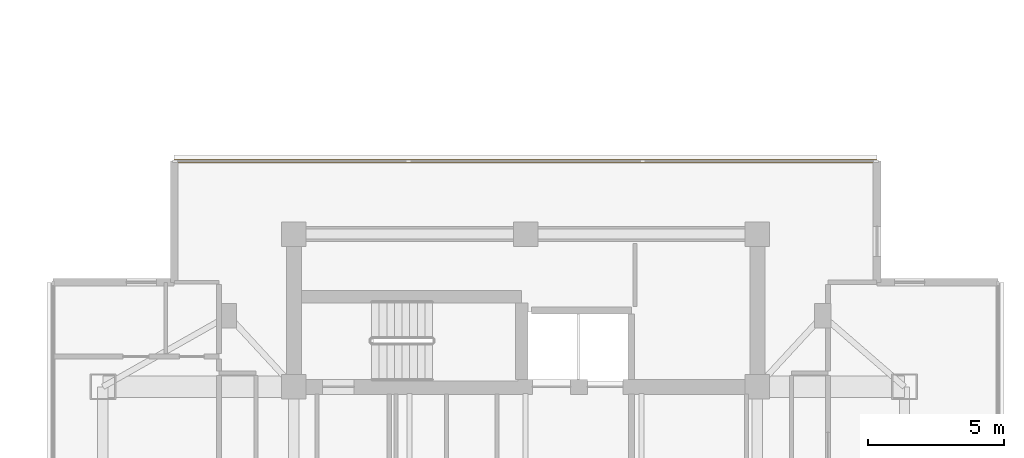
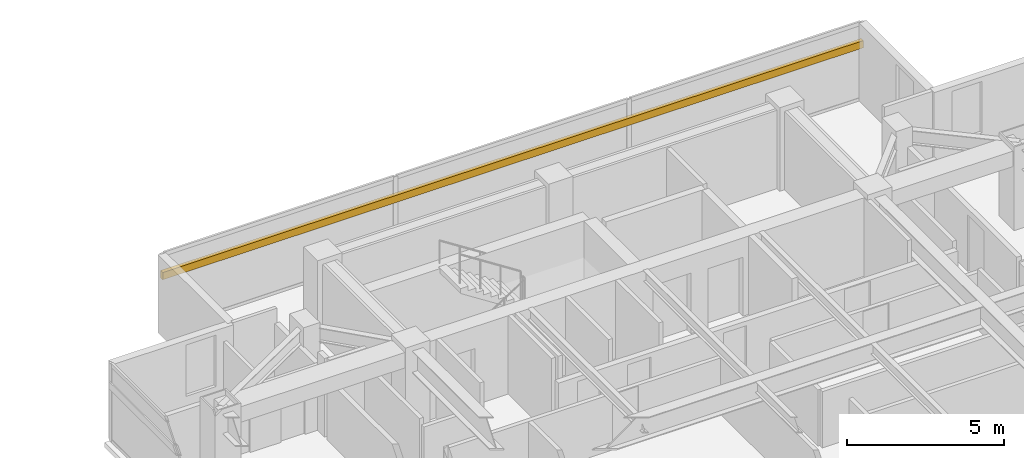
# One storey, part 24 of 24: 1 shading device.
"""IFC4 building model written with IfcOpenShell, lengths in metres."""

from ifc_helpers import new_model, si_unit, direction, frame, origin, origin_2d, place, context, subcontext, project, spatial, rectangle, extrude, material, material_profile, profile_set, type_object, element, save


model = new_model("IFC4")

# Units and contexts
model_context = context("Model", 3, precision=1e-05, world=origin(), true_north=direction((0.0, 1.0)))
body_context = subcontext(model_context, "Body", "Model", "MODEL_VIEW")
ifc_project = project(units=[si_unit("LENGTHUNIT", "METRE"), si_unit("AREAUNIT", "SQUARE_METRE"), si_unit("VOLUMEUNIT", "CUBIC_METRE"), si_unit("PLANEANGLEUNIT", "RADIAN"), si_unit("MASSUNIT", "GRAM", prefix="KILO")], contexts=[model_context])

# Site, building, storey
site_placement = place(None, origin())
site = spatial("IfcSite", under=ifc_project, at=site_placement, CompositionType="ELEMENT")
building_placement = place(site_placement, origin())
building = spatial("IfcBuilding", under=site, at=building_placement, Name="Mirazonda Arch Towers", CompositionType="ELEMENT")
storey_placement = place(building_placement, frame((0.0, 0.0, 196.64990234375)))
storey = spatial("IfcBuildingStorey", under=building, at=storey_placement, Name="L56", CompositionType="ELEMENT", Elevation=196.64990234375)

# Shading device
ifc_material = material(Name="Kiln-Fired Architectural Terracotta", Category="masonry")
ifc_material_profile = material_profile(ifc_material, rectangle(XDim=0.139892578125, YDim=0.280029296875, at=origin_2d()), Name="TERRA-BAG-140x280")
ifc_profile_set = profile_set([ifc_material_profile], Name="Kiln-Fired Architectural Terracotta")
shading_device_type = type_object("IfcShadingDeviceType", Name="BAGUETTE-3", PredefinedType="USERDEFINED", material=ifc_profile_set)
shading_device_placement = place(storey_placement, frame((63.610107421875, 43.4716796875, 2.181640625), z_axis=(1.0, 0.0, 0.0), x_axis=(0.0, 1.0, 0.0)))
element("IfcShadingDevice", 1, at=shading_device_placement, inside=storey, type_object=shading_device_type, Name="L56 Glazed Terracotta Sun-Screen Baguette CW-L56-T2-N", ObjectType="BAGUETTE", PredefinedType="USERDEFINED", context=body_context, shape_type="SweptSolid", body=[
    extrude(rectangle(XDim=0.139892578125, YDim=0.280029296875, at=origin_2d()), origin(), (0.0, 0.0, 1.0), 25.77978515625),
])

save(model, "model.ifc")
